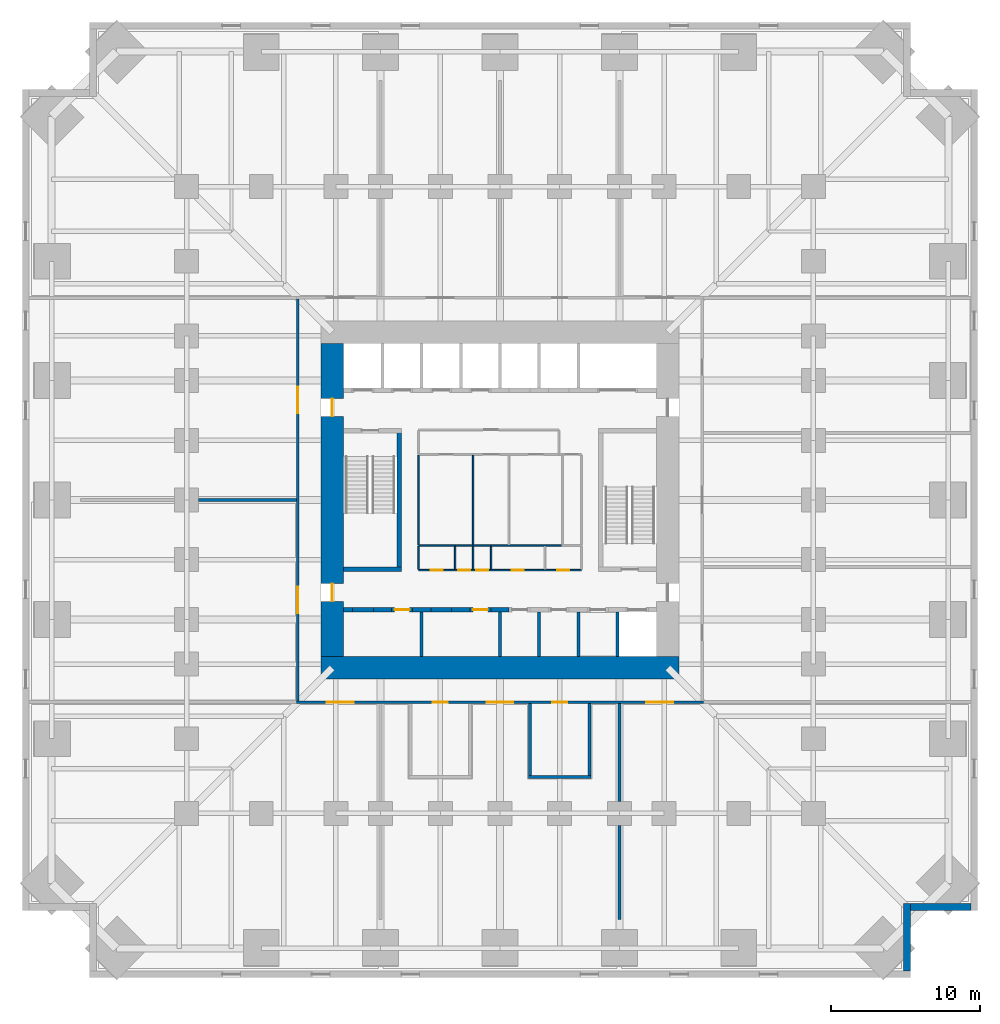
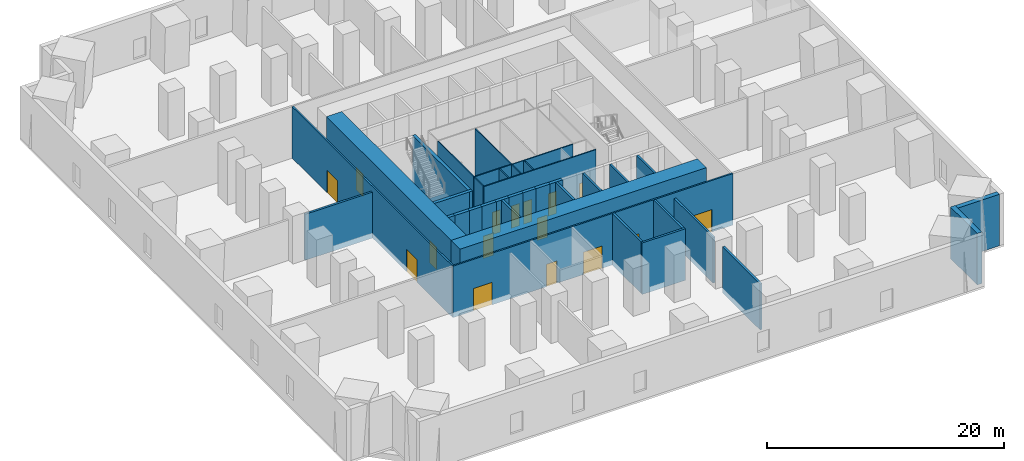
# One storey, part 4 of 8: 36 walls, 16 doors, 16 openings.
"""IFC4 building model written with IfcOpenShell, lengths in metres."""

import ifcopenshell
import ifcopenshell.guid

model = None  # the IFC model being written
_history = None  # IfcOwnerHistory: only IFC2X3 demands one
_inside = {}  # id of a spatial element -> (the spatial element, [elements in it])
_under = {}  # id of a project, library or spatial element -> (it, [spatial elements below it])
_declared = {}  # id of a project -> (the project, [libraries it declares])
_typed = {}  # id of a type object -> (the type object, [elements of that type])
_made_of = {}  # id of a material, layer set ... -> (it, [elements and type objects made of it])


def new_model(schema):
    """Start an empty IFC model of exactly this schema.

    Asked for "IFC4X3", IfcOpenShell would pick the latest addendum, in which some entities
    have other attributes; the version numbers below select the first issue.
    IFC2X3 requires an IfcOwnerHistory on every rooted entity: one is made here for all.
    """
    global model, _history
    if schema == "IFC4X3":
        model = ifcopenshell.file(schema_version=(4, 3, 0, 0))
    else:
        model = ifcopenshell.file(schema=schema)
    _inside.clear()
    _under.clear()
    _declared.clear()
    _typed.clear()
    _made_of.clear()
    _history = None
    if model.schema == "IFC2X3":
        org = make("IfcOrganization", Name="unknown")
        user = make(
            "IfcPersonAndOrganization",
            ThePerson=make("IfcPerson", FamilyName="unknown"),
            TheOrganization=org,
        )
        app = make(
            "IfcApplication",
            ApplicationDeveloper=org,
            Version="unknown",
            ApplicationFullName="unknown",
            ApplicationIdentifier="unknown",
        )
        _history = make(
            "IfcOwnerHistory",
            OwningUser=user,
            OwningApplication=app,
            ChangeAction="ADDED",
            CreationDate=0,
        )
    return model


def make(cls, **values):
    """One entity of the class cls with the attributes given. An attribute that is None is left unset."""
    return model.create_entity(
        cls, **{name: value for name, value in values.items() if value is not None}
    )


def rooted(cls, **values):
    """An entity with a GlobalId (a new one), such as an element, a storey or a relation."""
    return make(cls, GlobalId=ifcopenshell.guid.new(), OwnerHistory=_history, **values)


def si_unit(unit_type, name, prefix=None):
    """IfcSIUnit, for example si_unit("LENGTHUNIT", "METRE", prefix="MILLI")."""
    return make("IfcSIUnit", UnitType=unit_type, Prefix=prefix, Name=name)


def assignment(units):
    """IfcUnitAssignment: the units of a project."""
    return None if units is None else make("IfcUnitAssignment", Units=units)


def point(xyz):
    """IfcCartesianPoint."""
    return None if xyz is None else make("IfcCartesianPoint", Coordinates=xyz)


def direction(xyz):
    """IfcDirection."""
    return None if xyz is None else make("IfcDirection", DirectionRatios=xyz)


def frame(location, z_axis=None, x_axis=None):
    """IfcAxis2Placement3D, a coordinate frame: its origin and axes. An axis left out is left unset."""
    return make(
        "IfcAxis2Placement3D",
        Location=point(location),
        Axis=direction(z_axis),
        RefDirection=direction(x_axis),
    )


def frame_2d(location, x_axis=None):
    """IfcAxis2Placement2D, a coordinate frame in the plane: its origin and x axis."""
    return make(
        "IfcAxis2Placement2D", Location=point(location), RefDirection=direction(x_axis)
    )


def origin():
    """The frame at (0, 0, 0) with its axes left unset."""
    return frame((0.0, 0.0, 0.0))


def place(relative_to, where):
    """IfcLocalPlacement: puts the frame where relative to a parent placement (None: the world)."""
    return make(
        "IfcLocalPlacement", PlacementRelTo=relative_to, RelativePlacement=where
    )


def context(
    kind, dimensions, precision=None, world=None, true_north=None, identifier=None
):
    """IfcGeometricRepresentationContext, for example the 3D "Model" context."""
    return make(
        "IfcGeometricRepresentationContext",
        ContextIdentifier=identifier,
        ContextType=kind,
        CoordinateSpaceDimension=dimensions,
        Precision=precision,
        WorldCoordinateSystem=world,
        TrueNorth=true_north,
    )


def subcontext(parent, identifier, kind, view, scale=None):
    """IfcGeometricRepresentationSubContext, for example "Body" below "Model"."""
    return make(
        "IfcGeometricRepresentationSubContext",
        ContextIdentifier=identifier,
        ContextType=kind,
        ParentContext=parent,
        TargetScale=scale,
        TargetView=view,
    )


def project(units=None, contexts=None):
    """IfcProject with its units and contexts."""
    return rooted(
        "IfcProject",
        Name="project",
        RepresentationContexts=contexts,
        UnitsInContext=assignment(units),
    )


def spatial(cls, under=None, at=None, **own):
    """A site, building, storey or space (cls), placed at a placement, below another one or the project."""
    s = rooted(cls, ObjectPlacement=at, **own)
    if under is not None:
        _under.setdefault(under.id(), (under, []))[1].append(s)
    return s


def profile(cls, at=None, kind="AREA", **sizes):
    """A parametric profile (cls). Its sizes go by their IFC names, for example OverallWidth=200.0."""
    return make(cls, ProfileType=kind, Position=at, **sizes)


def rectangle(**sizes):
    """IfcRectangleProfileDef."""
    return profile("IfcRectangleProfileDef", **sizes)


def extrude(swept, where, along, depth):
    """IfcExtrudedAreaSolid: the profile swept, set in the frame where, extruded along a direction by depth."""
    return make(
        "IfcExtrudedAreaSolid",
        SweptArea=swept,
        Position=where,
        ExtrudedDirection=direction(along),
        Depth=depth,
    )


def shape(context_of_items, identifier, shape_type, items):
    """IfcShapeRepresentation: the items that make up one representation, for example the "Body"."""
    return make(
        "IfcShapeRepresentation",
        ContextOfItems=context_of_items,
        RepresentationIdentifier=identifier,
        RepresentationType=shape_type,
        Items=items,
    )


def material(Name=None, Category=None):
    """IfcMaterial."""
    return make("IfcMaterial", Name=Name, Category=Category)


def layer(
    of_material, thickness, ventilated=None, Name=None, Category=None, Priority=None
):
    """IfcMaterialLayer: one layer of a wall or slab, of a material (None: an air gap)."""
    return make(
        "IfcMaterialLayer",
        Material=of_material,
        LayerThickness=thickness,
        IsVentilated=ventilated,
        Name=Name,
        Category=Category,
        Priority=Priority,
    )


def layer_set(layers, Name=None):
    """IfcMaterialLayerSet."""
    return make("IfcMaterialLayerSet", MaterialLayers=layers, LayerSetName=Name)


def made_of(thing, what):
    """Note that an element or type object is made of a material, layer set ...; save() writes the relation."""
    if what is not None:
        _made_of.setdefault(what.id(), (what, []))[1].append(thing)
    return thing


def type_object(cls, material=None, **own):
    """A type object (cls), such as IfcWallType, which elements share."""
    return made_of(rooted(cls, **own), material)


def element(
    cls,
    number,
    at=None,
    inside=None,
    cuts=None,
    type_object=None,
    material=None,
    context=None,
    identifier="Body",
    shape_type=None,
    held_by="IfcProductDefinitionShape",
    body=None,
    shapes=None,
    **own,
):
    """One element of the class cls, such as IfcWall. Its Tag is "e" and its number.

    at: its placement. inside: the storey or other place that contains it. cuts: it is an
    opening in that element (IfcRelVoidsElement). A single representation is given by context,
    identifier, shape_type and body (its items); several are given by shapes. held_by: the class
    of the entity that holds the representations. save() writes the other relations.
    """
    e = rooted(cls, Tag="e%d" % number, ObjectPlacement=at, **own)
    if body is not None:
        shapes = [shape(context, identifier, shape_type, body)]
    if shapes is not None:
        e.Representation = make(held_by, Representations=shapes)
    if inside is not None:
        _inside.setdefault(inside.id(), (inside, []))[1].append(e)
    if cuts is not None:
        rooted(
            "IfcRelVoidsElement", RelatingBuildingElement=cuts, RelatedOpeningElement=e
        )
    if type_object is not None:
        _typed.setdefault(type_object.id(), (type_object, []))[1].append(e)
    return made_of(e, material)


def fill(opening, filler):
    """IfcRelFillsElement: the door or window that sits in an opening."""
    return rooted(
        "IfcRelFillsElement",
        RelatingOpeningElement=opening,
        RelatedBuildingElement=filler,
    )


def aggregate(whole, parts):
    """IfcRelAggregates: a whole, such as a stair, and the parts it consists of."""
    return rooted("IfcRelAggregates", RelatingObject=whole, RelatedObjects=parts)


def save(model, path):
    """Write the relations noted so far, then the file.

    IfcRelAggregates (storeys below a building ...), IfcRelContainedInSpatialStructure (elements
    in a storey), IfcRelDefinesByType, IfcRelAssociatesMaterial and IfcRelDeclares: one each for
    every whole, place, type object, material and project.
    """
    for whole, parts in _under.values():
        aggregate(whole, parts)
    for where, things in _inside.values():
        rooted(
            "IfcRelContainedInSpatialStructure",
            RelatedElements=things,
            RelatingStructure=where,
        )
    for kind, things in _typed.values():
        rooted("IfcRelDefinesByType", RelatedObjects=things, RelatingType=kind)
    for what, things in _made_of.values():
        rooted("IfcRelAssociatesMaterial", RelatedObjects=things, RelatingMaterial=what)
    for by, libraries in _declared.values():
        rooted("IfcRelDeclares", RelatingContext=by, RelatedDefinitions=libraries)
    model.write(path)


model = new_model("IFC4")

# Units and contexts
model_context = context("Model", 3, precision=1e-05, world=origin(), true_north=direction((0.0, 1.0)))
body_context = subcontext(model_context, "Body", "Model", "MODEL_VIEW")
ifc_project = project(units=[si_unit("LENGTHUNIT", "METRE"), si_unit("AREAUNIT", "SQUARE_METRE"), si_unit("VOLUMEUNIT", "CUBIC_METRE"), si_unit("PLANEANGLEUNIT", "RADIAN"), si_unit("MASSUNIT", "GRAM", prefix="KILO")], contexts=[model_context])

# Site, building, storey
site_placement = place(None, origin())
site = spatial("IfcSite", under=ifc_project, at=site_placement, CompositionType="ELEMENT")
building_placement = place(site_placement, origin())
building = spatial("IfcBuilding", under=site, at=building_placement, Name="Peilmerk Tower", CompositionType="ELEMENT")
storey_placement = place(building_placement, frame((0.0, 0.0, 21.0)))
storey = spatial("IfcBuildingStorey", under=building, at=storey_placement, Name="L04", CompositionType="ELEMENT", Elevation=21.0)

# Walls
ifc_material_1 = material(Name="Precast concrete C45/55, board-marked finish", Category="concrete")
ifc_layer_1 = layer(ifc_material_1, 0.449951171875)
ifc_layer_set_1 = layer_set([ifc_layer_1], Name="Precast concrete C45/55, board-marked finish")
wall_type_1 = type_object("IfcWallType", Name="EW1 450 precast concrete facade wall, board-marked", PredefinedType="SOLIDWALL", material=ifc_layer_set_1)
wall_1_placement = place(storey_placement, frame((27.27490234375, -27.050048828125, 0.0), z_axis=(0.0, 0.0, 1.0), x_axis=(0.0, -1.0, 0.0)))
element("IfcWall", 1, at=wall_1_placement, inside=storey, type_object=wall_type_1, Name="Facade wall SEA L04", PredefinedType="SOLIDWALL", context=body_context, shape_type="SweptSolid", body=[
    extrude(rectangle(XDim=4.5, YDim=0.449951171875, at=frame_2d((2.25, 0.0))), origin(), (0.0, 0.0, 1.0), 5.300048828125),
])
wall_2_placement = place(storey_placement, frame((27.5, -27.27490234375, 0.0), z_axis=(0.0, 0.0, 1.0), x_axis=(1.0, 0.0, 0.0)))
element("IfcWall", 2, at=wall_2_placement, inside=storey, type_object=wall_type_1, Name="Facade wall SEB L04", PredefinedType="SOLIDWALL", context=body_context, shape_type="SweptSolid", body=[
    extrude(rectangle(XDim=4.050048828125, YDim=0.449951171875, at=frame_2d((2.02490234375, 0.0))), origin(), (0.0, 0.0, 1.0), 5.300048828125),
])

# Wall, openings, doors
ifc_material_2 = material(Name="Calcium silicate block", Category="masonry")
ifc_layer_2 = layer(ifc_material_2, 0.14990234375)
ifc_layer_set_2 = layer_set([ifc_layer_2], Name="Calcium silicate block")
wall_type_2 = type_object("IfcWallType", Name="IW1 150 corridor partition, EI 60", PredefinedType="PARTITIONING", material=ifc_layer_set_2)
wall_3_placement = place(storey_placement, frame((13.625, -13.550048828125, 0.0), z_axis=(0.0, 0.0, 1.0), x_axis=(-1.0, 0.0, 0.0)))
wall_3 = element("IfcWall", 3, at=wall_3_placement, inside=storey, type_object=wall_type_2, Name="Corridor wall S L04", PredefinedType="PARTITIONING", context=body_context, shape_type="SweptSolid", body=[
    extrude(rectangle(XDim=27.25, YDim=0.14990234375, at=frame_2d((13.625, 0.0))), origin(), (0.0, 0.0, 1.0), 5.300048828125),
])
opening_1_placement = place(wall_3_placement, frame((23.425048828125, 0.0, 0.0)))
opening_1 = element("IfcOpeningElement", 4, at=opening_1_placement, cuts=wall_3, Name="Opening D2", PredefinedType="OPENING", context=body_context, shape_type="SweptSolid", body=[
    extrude(rectangle(XDim=1.800048828125, YDim=2.300048828125, at=frame_2d((0.89990234375, 1.14990234375))), frame((0.0, 0.0849609375, 0.0), z_axis=(0.0, -1.0, 0.0), x_axis=(1.0, 0.0, 0.0)), (0.0, 0.0, 1.0), 0.169921875),
])
opening_2_placement = place(wall_3_placement, frame((12.72509765625, 0.0, 0.0)))
opening_2 = element("IfcOpeningElement", 5, at=opening_2_placement, cuts=wall_3, Name="Opening D2", PredefinedType="OPENING", context=body_context, shape_type="SweptSolid", body=[
    extrude(rectangle(XDim=1.800048828125, YDim=2.300048828125, at=frame_2d((0.89990234375, 1.14990234375))), frame((0.0, 0.0849609375, 0.0), z_axis=(0.0, -1.0, 0.0), x_axis=(1.0, 0.0, 0.0)), (0.0, 0.0, 1.0), 0.169921875),
])
opening_3_placement = place(wall_3_placement, frame((2.02490234375, 0.0, 0.0)))
opening_3 = element("IfcOpeningElement", 6, at=opening_3_placement, cuts=wall_3, Name="Opening D2", PredefinedType="OPENING", context=body_context, shape_type="SweptSolid", body=[
    extrude(rectangle(XDim=1.800048828125, YDim=2.300048828125, at=frame_2d((0.89990234375, 1.14990234375))), frame((0.0, 0.0849609375, 0.0), z_axis=(0.0, -1.0, 0.0), x_axis=(1.0, 0.0, 0.0)), (0.0, 0.0, 1.0), 0.169921875),
])
opening_4_placement = place(wall_3_placement, frame((17.125, 0.0, 0.0)))
opening_4 = element("IfcOpeningElement", 7, at=opening_4_placement, cuts=wall_3, Name="Opening D1", PredefinedType="OPENING", context=body_context, shape_type="SweptSolid", body=[
    extrude(rectangle(XDim=1.0, YDim=2.300048828125, at=frame_2d((0.5, 1.14990234375))), frame((0.0, 0.0849609375, 0.0), z_axis=(0.0, -1.0, 0.0), x_axis=(1.0, 0.0, 0.0)), (0.0, 0.0, 1.0), 0.169921875),
])
opening_5_placement = place(wall_3_placement, frame((9.125, 0.0, 0.0)))
opening_5 = element("IfcOpeningElement", 8, at=opening_5_placement, cuts=wall_3, Name="Opening D1", PredefinedType="OPENING", context=body_context, shape_type="SweptSolid", body=[
    extrude(rectangle(XDim=1.0, YDim=2.300048828125, at=frame_2d((0.5, 1.14990234375))), frame((0.0, 0.0849609375, 0.0), z_axis=(0.0, -1.0, 0.0), x_axis=(1.0, 0.0, 0.0)), (0.0, 0.0, 1.0), 0.169921875),
])
ifc_material_3 = material(Name="Timber door in steel frame", Category="steel")
door_type_1 = type_object("IfcDoorType", Name="D1 1000x2300 room door, EI2 30", OperationType="SINGLE_SWING_LEFT", PredefinedType="DOOR", material=ifc_material_3)
door_1_placement = place(opening_4_placement, origin())
door_1 = element("IfcDoor", 9, at=door_1_placement, inside=storey, type_object=door_type_1, Name="Door Operations office L04", OperationType="SINGLE_SWING_LEFT", OverallHeight=2.300048828125, OverallWidth=1.0, PredefinedType="DOOR", context=body_context, shape_type="SweptSolid", body=[
    extrude(rectangle(XDim=1.0, YDim=2.300048828125, at=frame_2d((0.5, 1.14990234375))), frame((0.0, 0.02490234375, 0.0), z_axis=(0.0, -1.0, 0.0), x_axis=(1.0, 0.0, 0.0)), (0.0, 0.0, 1.0), 0.050048828125),
])
fill(opening_4, door_1)
door_2_placement = place(opening_5_placement, origin())
door_2 = element("IfcDoor", 10, at=door_2_placement, inside=storey, type_object=door_type_1, Name="Door Security control room L04", OperationType="SINGLE_SWING_LEFT", OverallHeight=2.300048828125, OverallWidth=1.0, PredefinedType="DOOR", context=body_context, shape_type="SweptSolid", body=[
    extrude(rectangle(XDim=1.0, YDim=2.300048828125, at=frame_2d((0.5, 1.14990234375))), frame((0.0, 0.02490234375, 0.0), z_axis=(0.0, -1.0, 0.0), x_axis=(1.0, 0.0, 0.0)), (0.0, 0.0, 1.0), 0.050048828125),
])
fill(opening_5, door_2)
ifc_material_4 = material(Name="Steel door in steel frame", Category="steel")
door_type_2 = type_object("IfcDoorType", Name="D2 1800x2300 double door, EI2 60", OperationType="DOUBLE_DOOR_DOUBLE_SWING", PredefinedType="DOOR", material=ifc_material_4)
door_3_placement = place(opening_1_placement, origin())
door_3 = element("IfcDoor", 11, at=door_3_placement, inside=storey, type_object=door_type_2, Name="Door Computer room B1 L04", OperationType="DOUBLE_DOOR_DOUBLE_SWING", OverallHeight=2.300048828125, OverallWidth=1.800048828125, PredefinedType="DOOR", context=body_context, shape_type="SweptSolid", body=[
    extrude(rectangle(XDim=1.800048828125, YDim=2.300048828125, at=frame_2d((0.89990234375, 1.14990234375))), frame((0.0, 0.02490234375, 0.0), z_axis=(0.0, -1.0, 0.0), x_axis=(1.0, 0.0, 0.0)), (0.0, 0.0, 1.0), 0.050048828125),
])
fill(opening_1, door_3)
door_4_placement = place(opening_2_placement, origin())
door_4 = element("IfcDoor", 12, at=door_4_placement, inside=storey, type_object=door_type_2, Name="Door Network room L04", OperationType="DOUBLE_DOOR_DOUBLE_SWING", OverallHeight=2.300048828125, OverallWidth=1.800048828125, PredefinedType="DOOR", context=body_context, shape_type="SweptSolid", body=[
    extrude(rectangle(XDim=1.800048828125, YDim=2.300048828125, at=frame_2d((0.89990234375, 1.14990234375))), frame((0.0, 0.02490234375, 0.0), z_axis=(0.0, -1.0, 0.0), x_axis=(1.0, 0.0, 0.0)), (0.0, 0.0, 1.0), 0.050048828125),
])
fill(opening_2, door_4)
door_5_placement = place(opening_3_placement, origin())
door_5 = element("IfcDoor", 13, at=door_5_placement, inside=storey, type_object=door_type_2, Name="Door Computer room B2 L04", OperationType="DOUBLE_DOOR_DOUBLE_SWING", OverallHeight=2.300048828125, OverallWidth=1.800048828125, PredefinedType="DOOR", context=body_context, shape_type="SweptSolid", body=[
    extrude(rectangle(XDim=1.800048828125, YDim=2.300048828125, at=frame_2d((0.89990234375, 1.14990234375))), frame((0.0, 0.02490234375, 0.0), z_axis=(0.0, -1.0, 0.0), x_axis=(1.0, 0.0, 0.0)), (0.0, 0.0, 1.0), 0.050048828125),
])
fill(opening_3, door_5)

wall_4_placement = place(storey_placement, frame((-13.550048828125, 13.47509765625, 0.0), z_axis=(0.0, 0.0, 1.0), x_axis=(0.0, -1.0, 0.0)))
wall_4 = element("IfcWall", 14, at=wall_4_placement, inside=storey, type_object=wall_type_2, Name="Corridor wall W L04", PredefinedType="PARTITIONING", context=body_context, shape_type="SweptSolid", body=[
    extrude(rectangle(XDim=26.9501953125, YDim=0.14990234375, at=frame_2d((13.47509765625, 0.0))), origin(), (0.0, 0.0, 1.0), 5.300048828125),
])
opening_6_placement = place(wall_4_placement, frame((19.27490234375, 0.0, 0.0)))
opening_6 = element("IfcOpeningElement", 15, at=opening_6_placement, cuts=wall_4, Name="Opening D2", PredefinedType="OPENING", context=body_context, shape_type="SweptSolid", body=[
    extrude(rectangle(XDim=1.800048828125, YDim=2.300048828125, at=frame_2d((0.89990234375, 1.14990234375))), frame((0.0, 0.0849609375, 0.0), z_axis=(0.0, -1.0, 0.0), x_axis=(1.0, 0.0, 0.0)), (0.0, 0.0, 1.0), 0.169921875),
])
opening_7_placement = place(wall_4_placement, frame((5.875, 0.0, 0.0)))
opening_7 = element("IfcOpeningElement", 16, at=opening_7_placement, cuts=wall_4, Name="Opening D2", PredefinedType="OPENING", context=body_context, shape_type="SweptSolid", body=[
    extrude(rectangle(XDim=1.800048828125, YDim=2.300048828125, at=frame_2d((0.89990234375, 1.14990234375))), frame((0.0, 0.0849609375, 0.0), z_axis=(0.0, -1.0, 0.0), x_axis=(1.0, 0.0, 0.0)), (0.0, 0.0, 1.0), 0.169921875),
])
door_6_placement = place(opening_6_placement, frame((1.800048828125, 0.0, 0.0), z_axis=(0.0, 0.0, 1.0), x_axis=(-1.0, 0.0, 0.0)))
door_6 = element("IfcDoor", 17, at=door_6_placement, inside=storey, type_object=door_type_2, Name="Door UPS room L04", OperationType="DOUBLE_DOOR_DOUBLE_SWING", OverallHeight=2.300048828125, OverallWidth=1.800048828125, PredefinedType="DOOR", context=body_context, shape_type="SweptSolid", body=[
    extrude(rectangle(XDim=1.800048828125, YDim=2.300048828125, at=frame_2d((0.89990234375, 1.14990234375))), frame((0.0, 0.02490234375, 0.0), z_axis=(0.0, -1.0, 0.0), x_axis=(1.0, 0.0, 0.0)), (0.0, 0.0, 1.0), 0.050048828125),
])
fill(opening_6, door_6)
door_7_placement = place(opening_7_placement, frame((1.800048828125, 0.0, 0.0), z_axis=(0.0, 0.0, 1.0), x_axis=(-1.0, 0.0, 0.0)))
door_7 = element("IfcDoor", 18, at=door_7_placement, inside=storey, type_object=door_type_2, Name="Door Battery room L04", OperationType="DOUBLE_DOOR_DOUBLE_SWING", OverallHeight=2.300048828125, OverallWidth=1.800048828125, PredefinedType="DOOR", context=body_context, shape_type="SweptSolid", body=[
    extrude(rectangle(XDim=1.800048828125, YDim=2.300048828125, at=frame_2d((0.89990234375, 1.14990234375))), frame((0.0, 0.02490234375, 0.0), z_axis=(0.0, -1.0, 0.0), x_axis=(1.0, 0.0, 0.0)), (0.0, 0.0, 1.0), 0.050048828125),
])
fill(opening_7, door_7)

# Walls
ifc_layer_3 = layer(ifc_material_2, 0.199951171875)
ifc_layer_set_3 = layer_set([ifc_layer_3], Name="Calcium silicate block")
wall_type_3 = type_object("IfcWallType", Name="IW2 200 room separating wall, EI 120", PredefinedType="PARTITIONING", material=ifc_layer_set_3)
wall_5_placement = place(storey_placement, frame((8.0, -13.625, 0.0), z_axis=(0.0, 0.0, 1.0), x_axis=(0.0, -1.0, 0.0)))
element("IfcWall", 19, at=wall_5_placement, inside=storey, type_object=wall_type_3, Name="Room separating wall S2 L04", PredefinedType="PARTITIONING", context=body_context, shape_type="SweptSolid", body=[
    extrude(rectangle(XDim=6.574951171875, YDim=0.199951171875, at=frame_2d((3.28759765625, 0.0))), origin(), (0.0, 0.0, 1.0), 4.73095703125),
])
wall_6_placement = place(storey_placement, frame((8.0, -21.800048828125, 0.0), z_axis=(0.0, 0.0, 1.0), x_axis=(0.0, -1.0, 0.0)))
element("IfcWall", 20, at=wall_6_placement, inside=storey, type_object=wall_type_3, Name="Room separating wall S2b L04", PredefinedType="PARTITIONING", context=body_context, shape_type="SweptSolid", body=[
    extrude(rectangle(XDim=6.3310546875, YDim=0.199951171875, at=frame_2d((3.16552734375, 0.0))), origin(), (0.0, 0.0, 1.0), 4.73095703125),
])
wall_7_placement = place(storey_placement, frame((-13.625, 0.0, 0.0), z_axis=(0.0, 0.0, 1.0), x_axis=(-1.0, 0.0, 0.0)))
element("IfcWall", 21, at=wall_7_placement, inside=storey, type_object=wall_type_3, Name="Room separating wall W1 L04", PredefinedType="PARTITIONING", context=body_context, shape_type="SweptSolid", body=[
    extrude(rectangle(XDim=6.574951171875, YDim=0.199951171875, at=frame_2d((3.28759765625, 0.0))), origin(), (0.0, 0.0, 1.0), 4.73095703125),
])
wall_8_placement = place(storey_placement, frame((1.89990234375, -18.550048828125, 0.0), z_axis=(0.0, 0.0, 1.0), x_axis=(1.0, 0.0, 0.0)))
element("IfcWall", 22, at=wall_8_placement, inside=storey, type_object=wall_type_3, Name="Room separating wall Security control room L04", PredefinedType="PARTITIONING", context=body_context, shape_type="SweptSolid", body=[
    extrude(rectangle(XDim=4.2001953125, YDim=0.199951171875, at=frame_2d((2.10009765625, 0.0))), origin(), (0.0, 0.0, 1.0), 5.300048828125),
])
for number, where, z_axis, x_axis, name in (
    (23, (2.0, -13.625, 0.0), (0.0, 0.0, 1.0), (0.0, -1.0, 0.0), "Room separating wall Security control room L04"),
    (24, (6.0, -13.625, 0.0), (0.0, 0.0, 1.0), (0.0, -1.0, 0.0), "Room separating wall Security control room L04"),
):
    element("IfcWall", number, at=place(storey_placement, frame(where, z_axis=z_axis, x_axis=x_axis)), inside=storey, type_object=wall_type_3, Name=name, PredefinedType="PARTITIONING", context=body_context, shape_type="SweptSolid", body=[
        extrude(rectangle(XDim=4.824951171875, YDim=0.199951171875, at=frame_2d((2.41259765625, 0.0))), origin(), (0.0, 0.0, 1.0), 5.300048828125),
    ])
ifc_material_5 = material(Name="Concrete C35/45", Category="concrete")
ifc_layer_4 = layer(ifc_material_5, 0.300048828125)
ifc_layer_set_4 = layer_set([ifc_layer_4], Name="Concrete C35/45")
wall_type_4 = type_object("IfcWallType", Name="IW3 300 concrete stair enclosure wall, EI 120", PredefinedType="SOLIDWALL", material=ifc_layer_set_4)
wall_9_placement = place(storey_placement, frame((-6.75, -4.800048828125, 0.0), z_axis=(0.0, 0.0, 1.0), x_axis=(0.0, 1.0, 0.0)))
element("IfcWall", 25, at=wall_9_placement, inside=storey, type_object=wall_type_4, Name="Stair 1 enclosure L04", PredefinedType="SOLIDWALL", context=body_context, shape_type="SweptSolid", body=[
    extrude(rectangle(XDim=9.60009765625, YDim=0.300048828125, at=frame_2d((4.800048828125, 0.0))), origin(), (0.0, 0.0, 1.0), 5.25),
])
wall_10_placement = place(storey_placement, frame((-6.60009765625, -4.64990234375, 0.0), z_axis=(0.0, 0.0, 1.0), x_axis=(-1.0, 0.0, 0.0)))
element("IfcWall", 26, at=wall_10_placement, inside=storey, type_object=wall_type_4, Name="Stair 1 enclosure L04", PredefinedType="SOLIDWALL", context=body_context, shape_type="SweptSolid", body=[
    extrude(rectangle(XDim=3.89990234375, YDim=0.300048828125, at=frame_2d((1.949951171875, 0.0))), origin(), (0.0, 0.0, 1.0), 5.25),
])
ifc_material_6 = material(Name="Plasterboard on steel studs", Category="steel")
ifc_layer_5 = layer(ifc_material_6, 0.10009765625)
ifc_layer_set_5 = layer_set([ifc_layer_5], Name="Plasterboard on steel studs")
wall_type_5 = type_object("IfcWallType", Name="IW4 100 WC partition", PredefinedType="PARTITIONING", material=ifc_layer_set_5)
wall_11_placement = place(storey_placement, frame((4.14990234375, -3.050048828125, 0.0), z_axis=(0.0, 0.0, 1.0), x_axis=(-1.0, 0.0, 0.0)))
element("IfcWall", 27, at=wall_11_placement, inside=storey, type_object=wall_type_5, Name="WC wall L04", PredefinedType="PARTITIONING", context=body_context, shape_type="SweptSolid", body=[
    extrude(rectangle(XDim=9.599853515625, YDim=0.10009765625, at=frame_2d((4.7998046875, 0.0))), origin(), (0.0, 0.0, 1.0), 5.25),
])
for number, where, z_axis, x_axis, name in (
    (28, (-5.449951171875, -3.0, 0.0), (0.0, 0.0, 1.0), (0.0, 1.0, 0.0), "WC wall L04"),
    (29, (-1.800048828125, -3.0, 0.0), (0.0, 0.0, 1.0), (0.0, 1.0, 0.0), "WC wall L04"),
):
    element("IfcWall", number, at=place(storey_placement, frame(where, z_axis=z_axis, x_axis=x_axis)), inside=storey, type_object=wall_type_5, Name=name, PredefinedType="PARTITIONING", context=body_context, shape_type="SweptSolid", body=[
        extrude(rectangle(XDim=6.0, YDim=0.10009765625, at=frame_2d((3.0, 0.0))), origin(), (0.0, 0.0, 1.0), 5.25),
    ])

# Wall, openings, doors
ifc_material_7 = material(Name="Calcium silicate board on steel studs", Category="steel")
ifc_layer_6 = layer(ifc_material_7, 0.10009765625)
ifc_layer_set_6 = layer_set([ifc_layer_6], Name="Calcium silicate board on steel studs")
wall_type_6 = type_object("IfcWallType", Name="IW5 100 riser enclosure wall, EI 60", PredefinedType="PARTITIONING", material=ifc_layer_set_6)
wall_12_placement = place(storey_placement, frame((5.449951171875, -4.699951171875, 0.0), z_axis=(0.0, 0.0, 1.0), x_axis=(-1.0, 0.0, 0.0)))
wall_12 = element("IfcWall", 30, at=wall_12_placement, inside=storey, type_object=wall_type_6, Name="Riser wall L04", PredefinedType="PARTITIONING", context=body_context, shape_type="SweptSolid", body=[
    extrude(rectangle(XDim=10.89990234375, YDim=0.10009765625, at=frame_2d((5.449951171875, 0.0))), origin(), (0.0, 0.0, 1.0), 5.25),
])
opening_8_placement = place(wall_12_placement, frame((9.27490234375, 0.0, 0.0)))
opening_8 = element("IfcOpeningElement", 31, at=opening_8_placement, cuts=wall_12, Name="Opening D7", PredefinedType="OPENING", context=body_context, shape_type="SweptSolid", body=[
    extrude(rectangle(XDim=0.800048828125, YDim=2.300048828125, at=frame_2d((0.39990234375, 1.14990234375))), frame((0.0, 0.06005859375, 0.0), z_axis=(0.0, -1.0, 0.0), x_axis=(1.0, 0.0, 0.0)), (0.0, 0.0, 1.0), 0.1201171875),
])
opening_9_placement = place(wall_12_placement, frame((7.449951171875, 0.0, 0.0)))
opening_9 = element("IfcOpeningElement", 32, at=opening_9_placement, cuts=wall_12, Name="Opening D7", PredefinedType="OPENING", context=body_context, shape_type="SweptSolid", body=[
    extrude(rectangle(XDim=0.800048828125, YDim=2.300048828125, at=frame_2d((0.39990234375, 1.14990234375))), frame((0.0, 0.06005859375, 0.0), z_axis=(0.0, -1.0, 0.0), x_axis=(1.0, 0.0, 0.0)), (0.0, 0.0, 1.0), 0.1201171875),
])
opening_10_placement = place(wall_12_placement, frame((6.25, 0.0, 0.0)))
opening_10 = element("IfcOpeningElement", 33, at=opening_10_placement, cuts=wall_12, Name="Opening D7", PredefinedType="OPENING", context=body_context, shape_type="SweptSolid", body=[
    extrude(rectangle(XDim=0.800048828125, YDim=2.300048828125, at=frame_2d((0.39990234375, 1.14990234375))), frame((0.0, 0.06005859375, 0.0), z_axis=(0.0, -1.0, 0.0), x_axis=(1.0, 0.0, 0.0)), (0.0, 0.0, 1.0), 0.1201171875),
])
opening_11_placement = place(wall_12_placement, frame((3.85009765625, 0.0, 0.0)))
opening_11 = element("IfcOpeningElement", 34, at=opening_11_placement, cuts=wall_12, Name="Opening D7", PredefinedType="OPENING", context=body_context, shape_type="SweptSolid", body=[
    extrude(rectangle(XDim=0.800048828125, YDim=2.300048828125, at=frame_2d((0.39990234375, 1.14990234375))), frame((0.0, 0.06005859375, 0.0), z_axis=(0.0, -1.0, 0.0), x_axis=(1.0, 0.0, 0.0)), (0.0, 0.0, 1.0), 0.1201171875),
])
opening_12_placement = place(wall_12_placement, frame((0.824951171875, 0.0, 0.0)))
opening_12 = element("IfcOpeningElement", 35, at=opening_12_placement, cuts=wall_12, Name="Opening D7", PredefinedType="OPENING", context=body_context, shape_type="SweptSolid", body=[
    extrude(rectangle(XDim=0.800048828125, YDim=2.300048828125, at=frame_2d((0.39990234375, 1.14990234375))), frame((0.0, 0.06005859375, 0.0), z_axis=(0.0, -1.0, 0.0), x_axis=(1.0, 0.0, 0.0)), (0.0, 0.0, 1.0), 0.1201171875),
])
door_type_3 = type_object("IfcDoorType", Name="D7 800x2300 riser access door, EI2 60", OperationType="SINGLE_SWING_RIGHT", PredefinedType="DOOR", material=ifc_material_4)
door_8_placement = place(opening_8_placement, frame((0.800048828125, 0.0, 0.0), z_axis=(0.0, 0.0, 1.0), x_axis=(-1.0, 0.0, 0.0)))
door_8 = element("IfcDoor", 36, at=door_8_placement, inside=storey, type_object=door_type_3, Name="Cleaner's cupboard door L04", OperationType="SINGLE_SWING_RIGHT", OverallHeight=2.300048828125, OverallWidth=0.800048828125, PredefinedType="DOOR", context=body_context, shape_type="SweptSolid", body=[
    extrude(rectangle(XDim=0.800048828125, YDim=2.300048828125, at=frame_2d((0.39990234375, 1.14990234375))), frame((0.0, 0.02490234375, 0.0), z_axis=(0.0, -1.0, 0.0), x_axis=(1.0, 0.0, 0.0)), (0.0, 0.0, 1.0), 0.050048828125),
])
fill(opening_8, door_8)
door_9_placement = place(opening_9_placement, frame((0.800048828125, 0.0, 0.0), z_axis=(0.0, 0.0, 1.0), x_axis=(-1.0, 0.0, 0.0)))
door_9 = element("IfcDoor", 37, at=door_9_placement, inside=storey, type_object=door_type_3, Name="Electrical riser door L04", OperationType="SINGLE_SWING_RIGHT", OverallHeight=2.300048828125, OverallWidth=0.800048828125, PredefinedType="DOOR", context=body_context, shape_type="SweptSolid", body=[
    extrude(rectangle(XDim=0.800048828125, YDim=2.300048828125, at=frame_2d((0.39990234375, 1.14990234375))), frame((0.0, 0.02490234375, 0.0), z_axis=(0.0, -1.0, 0.0), x_axis=(1.0, 0.0, 0.0)), (0.0, 0.0, 1.0), 0.050048828125),
])
fill(opening_9, door_9)
door_10_placement = place(opening_10_placement, frame((0.800048828125, 0.0, 0.0), z_axis=(0.0, 0.0, 1.0), x_axis=(-1.0, 0.0, 0.0)))
door_10 = element("IfcDoor", 38, at=door_10_placement, inside=storey, type_object=door_type_3, Name="Data riser door L04", OperationType="SINGLE_SWING_RIGHT", OverallHeight=2.300048828125, OverallWidth=0.800048828125, PredefinedType="DOOR", context=body_context, shape_type="SweptSolid", body=[
    extrude(rectangle(XDim=0.800048828125, YDim=2.300048828125, at=frame_2d((0.39990234375, 1.14990234375))), frame((0.0, 0.02490234375, 0.0), z_axis=(0.0, -1.0, 0.0), x_axis=(1.0, 0.0, 0.0)), (0.0, 0.0, 1.0), 0.050048828125),
])
fill(opening_10, door_10)
door_11_placement = place(opening_11_placement, frame((0.800048828125, 0.0, 0.0), z_axis=(0.0, 0.0, 1.0), x_axis=(-1.0, 0.0, 0.0)))
door_11 = element("IfcDoor", 39, at=door_11_placement, inside=storey, type_object=door_type_3, Name="Comms room door L04", OperationType="SINGLE_SWING_RIGHT", OverallHeight=2.300048828125, OverallWidth=0.800048828125, PredefinedType="DOOR", context=body_context, shape_type="SweptSolid", body=[
    extrude(rectangle(XDim=0.800048828125, YDim=2.300048828125, at=frame_2d((0.39990234375, 1.14990234375))), frame((0.0, 0.02490234375, 0.0), z_axis=(0.0, -1.0, 0.0), x_axis=(1.0, 0.0, 0.0)), (0.0, 0.0, 1.0), 0.050048828125),
])
fill(opening_11, door_11)
door_12_placement = place(opening_12_placement, frame((0.800048828125, 0.0, 0.0), z_axis=(0.0, 0.0, 1.0), x_axis=(-1.0, 0.0, 0.0)))
door_12 = element("IfcDoor", 40, at=door_12_placement, inside=storey, type_object=door_type_3, Name="Water meter room door L04", OperationType="SINGLE_SWING_RIGHT", OverallHeight=2.300048828125, OverallWidth=0.800048828125, PredefinedType="DOOR", context=body_context, shape_type="SweptSolid", body=[
    extrude(rectangle(XDim=0.800048828125, YDim=2.300048828125, at=frame_2d((0.39990234375, 1.14990234375))), frame((0.0, 0.02490234375, 0.0), z_axis=(0.0, -1.0, 0.0), x_axis=(1.0, 0.0, 0.0)), (0.0, 0.0, 1.0), 0.050048828125),
])
fill(opening_12, door_12)

# Walls
for number, where, z_axis, x_axis, name in (
    (41, (-5.449951171875, -3.10009765625, 0.0), (0.0, 0.0, 1.0), (0.0, -1.0, 0.0), "Riser wall L04"),
    (42, (-3.0, -3.10009765625, 0.0), (0.0, 0.0, 1.0), (0.0, -1.0, 0.0), "Riser wall L04"),
    (43, (-1.800048828125, -3.10009765625, 0.0), (0.0, 0.0, 1.0), (0.0, -1.0, 0.0), "Riser wall L04"),
    (44, (-0.60009765625, -3.10009765625, 0.0), (0.0, 0.0, 1.0), (0.0, -1.0, 0.0), "Riser wall L04"),
):
    element("IfcWall", number, at=place(storey_placement, frame(where, z_axis=z_axis, x_axis=x_axis)), inside=storey, type_object=wall_type_6, Name=name, PredefinedType="PARTITIONING", context=body_context, shape_type="SweptSolid", body=[
        extrude(rectangle(XDim=1.5498046875, YDim=0.10009765625, at=frame_2d((0.77490234375, 0.0))), origin(), (0.0, 0.0, 1.0), 5.25),
    ])
ifc_layer_7 = layer(ifc_material_2, 0.199951171875)
ifc_layer_set_7 = layer_set([ifc_layer_7], Name="Calcium silicate block")
wall_type_7 = type_object("IfcWallType", Name="SH1 200 shaft dividing wall, EI 120", PredefinedType="PARTITIONING", material=ifc_layer_set_7)
for number, where, z_axis, x_axis, name in (
    (45, (-5.25, -10.5, 0.0), (0.0, 0.0, 1.0), (0.0, 1.0, 0.0), "Shaft wall S C3 L04"),
    (46, (0.0, -10.5, 0.0), (0.0, 0.0, 1.0), (0.0, 1.0, 0.0), "Shaft wall S C1 L04"),
    (47, (2.625, -10.5, 0.0), (0.0, 0.0, 1.0), (0.0, 1.0, 0.0), "Shaft wall S B3 L04"),
    (48, (5.25, -10.5, 0.0), (0.0, 0.0, 1.0), (0.0, 1.0, 0.0), "Shaft wall S B2 L04"),
    (49, (7.875, -10.5, 0.0), (0.0, 0.0, 1.0), (0.0, 1.0, 0.0), "Shaft wall S B1 L04"),
):
    element("IfcWall", number, at=place(storey_placement, frame(where, z_axis=z_axis, x_axis=x_axis)), inside=storey, type_object=wall_type_7, Name=name, PredefinedType="PARTITIONING", context=body_context, shape_type="SweptSolid", body=[
        extrude(rectangle(XDim=3.0, YDim=0.199951171875, at=frame_2d((1.5, 0.0))), origin(), (0.0, 0.0, 1.0), 5.5),
    ])
ifc_layer_8 = layer(ifc_material_2, 0.300048828125)
ifc_layer_set_8 = layer_set([ifc_layer_8], Name="Calcium silicate block")
wall_type_8 = type_object("IfcWallType", Name="SH2 300 lift landing door panel, EI 120", PredefinedType="PARTITIONING", material=ifc_layer_set_8)
wall_13_placement = place(storey_placement, frame((-9.887451171875, -7.35009765625, 0.0), z_axis=(0.0, 0.0, 1.0), x_axis=(1.0, 0.0, 0.0)))
element("IfcWall", 50, at=wall_13_placement, inside=storey, type_object=wall_type_8, Name="Lift door panel S C4 L04", PredefinedType="PARTITIONING", context=body_context, shape_type="SweptSolid", body=[
    extrude(rectangle(XDim=1.39990234375, YDim=0.300048828125, at=frame_2d((0.699951171875, 0.0))), origin(), (0.0, 0.0, 1.0), 5.5),
])

# Wall, opening, door
wall_14_placement = place(storey_placement, frame((-7.262451171875, -7.35009765625, 0.0), z_axis=(0.0, 0.0, 1.0), x_axis=(1.0, 0.0, 0.0)))
wall_14 = element("IfcWall", 51, at=wall_14_placement, inside=storey, type_object=wall_type_8, Name="Lift door panel S C3 L04", PredefinedType="PARTITIONING", context=body_context, shape_type="SweptSolid", body=[
    extrude(rectangle(XDim=1.39990234375, YDim=0.300048828125, at=frame_2d((0.699951171875, 0.0))), origin(), (0.0, 0.0, 1.0), 5.5),
])
opening_13_placement = place(wall_14_placement, frame((0.199951171875, 0.0, 0.0)))
opening_13 = element("IfcOpeningElement", 52, at=opening_13_placement, cuts=wall_14, Name="Opening D10", PredefinedType="OPENING", context=body_context, shape_type="SweptSolid", body=[
    extrude(rectangle(XDim=1.0, YDim=2.300048828125, at=frame_2d((0.5, 1.14990234375))), frame((0.0, 0.159912109375, 0.0), z_axis=(0.0, -1.0, 0.0), x_axis=(1.0, 0.0, 0.0)), (0.0, 0.0, 1.0), 0.320068359375),
])
door_type_4 = type_object("IfcDoorType", Name="D10 1000x2300 core room door, EI2 60", OperationType="SINGLE_SWING_RIGHT", PredefinedType="DOOR", material=ifc_material_4)
door_13_placement = place(opening_13_placement, frame((1.0, 0.0, 0.0), z_axis=(0.0, 0.0, 1.0), x_axis=(-1.0, 0.0, 0.0)))
door_13 = element("IfcDoor", 53, at=door_13_placement, inside=storey, type_object=door_type_4, Name="Door IT room L04", OperationType="SINGLE_SWING_RIGHT", OverallHeight=2.300048828125, OverallWidth=1.0, PredefinedType="DOOR", context=body_context, shape_type="SweptSolid", body=[
    extrude(rectangle(XDim=1.0, YDim=2.300048828125, at=frame_2d((0.5, 1.14990234375))), frame((0.0, 0.02490234375, 0.0), z_axis=(0.0, -1.0, 0.0), x_axis=(1.0, 0.0, 0.0)), (0.0, 0.0, 1.0), 0.050048828125),
])
fill(opening_13, door_13)

# Wall
wall_15_placement = place(storey_placement, frame((-4.637451171875, -7.35009765625, 0.0), z_axis=(0.0, 0.0, 1.0), x_axis=(1.0, 0.0, 0.0)))
element("IfcWall", 54, at=wall_15_placement, inside=storey, type_object=wall_type_8, Name="Lift door panel S C2 L04", PredefinedType="PARTITIONING", context=body_context, shape_type="SweptSolid", body=[
    extrude(rectangle(XDim=1.39990234375, YDim=0.300048828125, at=frame_2d((0.699951171875, 0.0))), origin(), (0.0, 0.0, 1.0), 5.5),
])

# Wall, opening, door
wall_16_placement = place(storey_placement, frame((-2.012451171875, -7.35009765625, 0.0), z_axis=(0.0, 0.0, 1.0), x_axis=(1.0, 0.0, 0.0)))
wall_16 = element("IfcWall", 55, at=wall_16_placement, inside=storey, type_object=wall_type_8, Name="Lift door panel S C1 L04", PredefinedType="PARTITIONING", context=body_context, shape_type="SweptSolid", body=[
    extrude(rectangle(XDim=1.39990234375, YDim=0.300048828125, at=frame_2d((0.699951171875, 0.0))), origin(), (0.0, 0.0, 1.0), 5.5),
])
opening_14_placement = place(wall_16_placement, frame((0.199951171875, 0.0, 0.0)))
opening_14 = element("IfcOpeningElement", 56, at=opening_14_placement, cuts=wall_16, Name="Opening D10", PredefinedType="OPENING", context=body_context, shape_type="SweptSolid", body=[
    extrude(rectangle(XDim=1.0, YDim=2.300048828125, at=frame_2d((0.5, 1.14990234375))), frame((0.0, 0.159912109375, 0.0), z_axis=(0.0, -1.0, 0.0), x_axis=(1.0, 0.0, 0.0)), (0.0, 0.0, 1.0), 0.320068359375),
])
door_14_placement = place(opening_14_placement, frame((1.0, 0.0, 0.0), z_axis=(0.0, 0.0, 1.0), x_axis=(-1.0, 0.0, 0.0)))
door_14 = element("IfcDoor", 57, at=door_14_placement, inside=storey, type_object=door_type_4, Name="Door Vending room L04", OperationType="SINGLE_SWING_RIGHT", OverallHeight=2.300048828125, OverallWidth=1.0, PredefinedType="DOOR", context=body_context, shape_type="SweptSolid", body=[
    extrude(rectangle(XDim=1.0, YDim=2.300048828125, at=frame_2d((0.5, 1.14990234375))), frame((0.0, 0.02490234375, 0.0), z_axis=(0.0, -1.0, 0.0), x_axis=(1.0, 0.0, 0.0)), (0.0, 0.0, 1.0), 0.050048828125),
])
fill(opening_14, door_14)

# Wall
ifc_material_8 = material(Name="Concrete C55/67", Category="concrete")
ifc_layer_9 = layer(ifc_material_8, 1.5)
ifc_layer_set_9 = layer_set([ifc_layer_9], Name="Concrete C55/67")
wall_type_9 = type_object("IfcWallType", Name="SW1 1500 core wall", PredefinedType="SHEAR", material=ifc_layer_set_9)
wall_17_placement = place(storey_placement, frame((12.0, -11.25, 0.0), z_axis=(0.0, 0.0, 1.0), x_axis=(-1.0, 0.0, 0.0)))
element("IfcWall", 58, at=wall_17_placement, inside=storey, type_object=wall_type_9, Name="Core wall S L04", PredefinedType="SHEAR", context=body_context, shape_type="SweptSolid", body=[
    extrude(rectangle(XDim=24.0, YDim=1.5, at=frame_2d((12.0, 0.0))), origin(), (0.0, 0.0, 1.0), 5.5),
])

# Wall, openings, doors
wall_18_placement = place(storey_placement, frame((-11.25, -10.5, 0.0), z_axis=(0.0, 0.0, 1.0), x_axis=(0.0, 1.0, 0.0)))
wall_18 = element("IfcWall", 59, at=wall_18_placement, inside=storey, type_object=wall_type_9, Name="Core wall W L04", PredefinedType="SHEAR", context=body_context, shape_type="SweptSolid", body=[
    extrude(rectangle(XDim=21.0, YDim=1.5, at=frame_2d((10.5, 0.0))), origin(), (0.0, 0.0, 1.0), 5.5),
])
opening_15_placement = place(wall_18_placement, frame((16.10009765625, 0.0, 0.0)))
opening_15 = element("IfcOpeningElement", 60, at=opening_15_placement, cuts=wall_18, Name="Opening D3", PredefinedType="OPENING", context=body_context, shape_type="SweptSolid", body=[
    extrude(rectangle(XDim=1.199951171875, YDim=2.300048828125, at=frame_2d((0.60009765625, 1.14990234375))), frame((0.0, 0.760009765625, 0.0), z_axis=(0.0, -1.0, 0.0), x_axis=(1.0, 0.0, 0.0)), (0.0, 0.0, 1.0), 1.52001953125),
])
opening_16_placement = place(wall_18_placement, frame((3.699951171875, 0.0, 0.0)))
opening_16 = element("IfcOpeningElement", 61, at=opening_16_placement, cuts=wall_18, Name="Opening D3", PredefinedType="OPENING", context=body_context, shape_type="SweptSolid", body=[
    extrude(rectangle(XDim=1.199951171875, YDim=2.300048828125, at=frame_2d((0.60009765625, 1.14990234375))), frame((0.0, 0.760009765625, 0.0), z_axis=(0.0, -1.0, 0.0), x_axis=(1.0, 0.0, 0.0)), (0.0, 0.0, 1.0), 1.52001953125),
])
door_type_5 = type_object("IfcDoorType", Name="D3 1200x2300 core door, EI2 60", OperationType="SINGLE_SWING_LEFT", PredefinedType="DOOR", material=ifc_material_4)
door_15_placement = place(opening_15_placement, frame((1.199951171875, 0.0, 0.0), z_axis=(0.0, 0.0, 1.0), x_axis=(-1.0, 0.0, 0.0)))
door_15 = element("IfcDoor", 62, at=door_15_placement, inside=storey, type_object=door_type_5, Name="Core door L04", OperationType="SINGLE_SWING_LEFT", OverallHeight=2.300048828125, OverallWidth=1.199951171875, PredefinedType="DOOR", context=body_context, shape_type="SweptSolid", body=[
    extrude(rectangle(XDim=1.199951171875, YDim=2.300048828125, at=frame_2d((0.60009765625, 1.14990234375))), frame((0.0, 0.02490234375, 0.0), z_axis=(0.0, -1.0, 0.0), x_axis=(1.0, 0.0, 0.0)), (0.0, 0.0, 1.0), 0.050048828125),
])
fill(opening_15, door_15)
door_16_placement = place(opening_16_placement, frame((1.199951171875, 0.0, 0.0), z_axis=(0.0, 0.0, 1.0), x_axis=(-1.0, 0.0, 0.0)))
door_16 = element("IfcDoor", 63, at=door_16_placement, inside=storey, type_object=door_type_5, Name="Core door L04", OperationType="SINGLE_SWING_LEFT", OverallHeight=2.300048828125, OverallWidth=1.199951171875, PredefinedType="DOOR", context=body_context, shape_type="SweptSolid", body=[
    extrude(rectangle(XDim=1.199951171875, YDim=2.300048828125, at=frame_2d((0.60009765625, 1.14990234375))), frame((0.0, 0.02490234375, 0.0), z_axis=(0.0, -1.0, 0.0), x_axis=(1.0, 0.0, 0.0)), (0.0, 0.0, 1.0), 0.050048828125),
])
fill(opening_16, door_16)

# Walls
ifc_layer_10 = layer(ifc_material_8, 0.300048828125)
ifc_layer_set_10 = layer_set([ifc_layer_10], Name="Concrete C55/67")
wall_type_10 = type_object("IfcWallType", Name="SW2 300 lift bank pier", PredefinedType="SHEAR", material=ifc_layer_set_10)
wall_19_placement = place(storey_placement, frame((-10.5, -7.35009765625, 0.0), z_axis=(0.0, 0.0, 1.0), x_axis=(1.0, 0.0, 0.0)))
element("IfcWall", 64, at=wall_19_placement, inside=storey, type_object=wall_type_10, Name="Lift bank pier S L04", PredefinedType="SHEAR", context=body_context, shape_type="SweptSolid", body=[
    extrude(rectangle(XDim=0.612548828125, YDim=0.300048828125, at=frame_2d((0.30615234375, 0.0))), origin(), (0.0, 0.0, 1.0), 5.5),
])
for number, where, z_axis, x_axis, name in (
    (65, (-8.487548828125, -7.35009765625, 0.0), (0.0, 0.0, 1.0), (1.0, 0.0, 0.0), "Lift bank pier S L04"),
    (66, (-5.862548828125, -7.35009765625, 0.0), (0.0, 0.0, 1.0), (1.0, 0.0, 0.0), "Lift bank pier S L04"),
    (67, (-3.237548828125, -7.35009765625, 0.0), (0.0, 0.0, 1.0), (1.0, 0.0, 0.0), "Lift bank pier S L04"),
    (68, (-0.612548828125, -7.35009765625, 0.0), (0.0, 0.0, 1.0), (1.0, 0.0, 0.0), "Lift bank pier S L04"),
):
    element("IfcWall", number, at=place(storey_placement, frame(where, z_axis=z_axis, x_axis=x_axis)), inside=storey, type_object=wall_type_10, Name=name, PredefinedType="SHEAR", context=body_context, shape_type="SweptSolid", body=[
        extrude(rectangle(XDim=1.22509765625, YDim=0.300048828125, at=frame_2d((0.612548828125, 0.0))), origin(), (0.0, 0.0, 1.0), 5.5),
    ])

save(model, "model.ifc")
